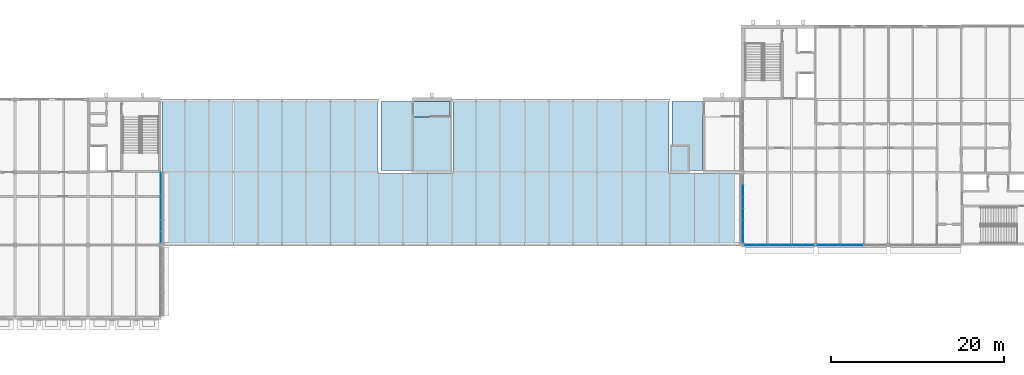
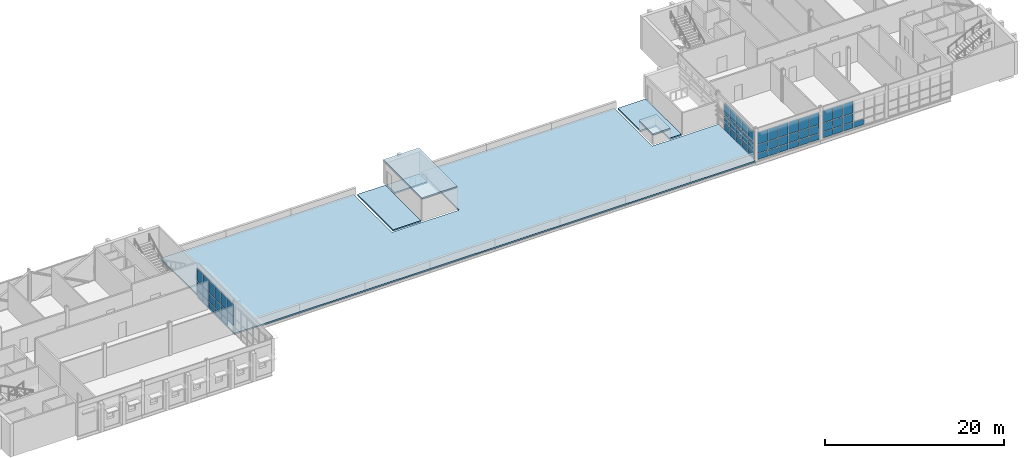
# One storey, part 17 of 29: 60 plates, 6 slabs, 4 elements without a shape of their own.
"""IFC4 building model written with IfcOpenShell, lengths in metres."""

from ifc_helpers import new_model, si_unit, direction, frame, origin, origin_2d, place, context, subcontext, project, spatial, polyline, rectangle, outline, extrude, material, layer, layer_set, type_object, element, aggregate, save


model = new_model("IFC4")

# Units and contexts
model_context = context("Model", 3, precision=1e-05, world=origin(), true_north=direction((0.0, 1.0)))
body_context = subcontext(model_context, "Body", "Model", "MODEL_VIEW")
ifc_project = project(units=[si_unit("LENGTHUNIT", "METRE"), si_unit("AREAUNIT", "SQUARE_METRE"), si_unit("VOLUMEUNIT", "CUBIC_METRE"), si_unit("PLANEANGLEUNIT", "RADIAN"), si_unit("MASSUNIT", "GRAM", prefix="KILO")], contexts=[model_context])

# Site, building, storey
site_placement = place(None, origin())
site = spatial("IfcSite", under=ifc_project, at=site_placement, CompositionType="ELEMENT")
building_placement = place(site_placement, origin())
building = spatial("IfcBuilding", under=site, at=building_placement, Name="Ardhachandra Cancer Care Centre", CompositionType="ELEMENT")
storey_placement = place(building_placement, frame((0.0, 0.0, 13.5)))
storey = spatial("IfcBuildingStorey", under=building, at=storey_placement, Name="L03", CompositionType="ELEMENT", Elevation=13.5)

# Slabs
ifc_material_1 = material(Name="Composite slab Concrete M30 on steel deck", Category="concrete")
ifc_layer_1 = layer(ifc_material_1, 0.199951171875)
ifc_layer_set_1 = layer_set([ifc_layer_1], Name="Composite slab Concrete M30 on steel deck")
slab_type_1 = type_object("IfcSlabType", Name="Composite roof slab 200", PredefinedType="ROOF", material=ifc_layer_set_1)
slab_1_placement = place(storey_placement, frame((0.0, 0.0, -0.199951171875)))
element("IfcSlab", 1, at=slab_1_placement, inside=storey, type_object=slab_type_1, Name="Roof slab V1-strip", PredefinedType="ROOF", context=body_context, shape_type="SweptSolid", body=[
    extrude(outline(polyline([(111.60009765625, 88.050048828125), (103.050048828125, 88.050048828125), (103.050048828125, 96.60009765625), (78.14990234375, 96.60009765625), (78.14990234375, 88.050048828125), (69.449951171875, 88.050048828125), (69.449951171875, 96.60009765625), (44.550048828125, 96.60009765625), (44.550048828125, 88.050048828125), (44.39990234375, 88.050048828125), (44.39990234375, 79.800048828125), (111.60009765625, 79.800048828125), (111.60009765625, 88.050048828125)])), origin(), (0.0, 0.0, 1.0), 0.199951171875),
])
ifc_material_2 = material(Name="Concrete M40", Category="concrete")
ifc_layer_2 = layer(ifc_material_2, 0.199951171875)
ifc_layer_set_2 = layer_set([ifc_layer_2], Name="Concrete M40")
slab_type_2 = type_object("IfcSlabType", Name="Core head-house floor slab 200", PredefinedType="FLOOR", material=ifc_layer_set_2)
slab_2_placement = place(storey_placement, frame((0.0, 0.0, -0.199951171875)))
element("IfcSlab", 2, at=slab_2_placement, inside=storey, type_object=slab_type_2, Name="Stair head-house floor slab K8 1", PredefinedType="FLOOR", context=body_context, shape_type="SweptSolid", body=[
    extrude(outline(polyline([(73.60009765625, 96.375), (73.60009765625, 94.60009765625), (77.800048828125, 94.60009765625), (77.800048828125, 96.375), (73.60009765625, 96.375)])), origin(), (0.0, 0.0, 1.0), 0.199951171875),
])
ifc_material_3 = material(Name="Concrete M40", Category="concrete")
ifc_layer_3 = layer(ifc_material_3, 0.199951171875)
ifc_layer_set_3 = layer_set([ifc_layer_3], Name="Concrete M40")
slab_type_3 = type_object("IfcSlabType", Name="Core roof slab 200", PredefinedType="ROOF", material=ifc_layer_set_3)
slab_3_placement = place(storey_placement, frame((0.0, 0.0, -0.199951171875)))
element("IfcSlab", 3, at=slab_3_placement, inside=storey, type_object=slab_type_3, Name="Core roof slab K7 2", PredefinedType="ROOF", context=body_context, shape_type="SweptSolid", body=[
    extrude(outline(polyline([(103.39990234375, 91.35009765625), (105.25, 91.35009765625), (105.449951171875, 91.35009765625), (105.449951171875, 88.39990234375), (107.0, 88.39990234375), (107.0, 96.375), (103.39990234375, 96.375), (103.39990234375, 91.35009765625)])), origin(), (0.0, 0.0, 1.0), 0.199951171875),
])
slab_4_placement = place(storey_placement, frame((0.0, 0.0, -0.199951171875)))
element("IfcSlab", 4, at=slab_4_placement, inside=storey, type_object=slab_type_3, Name="Core roof slab K8 2", PredefinedType="ROOF", context=body_context, shape_type="SweptSolid", body=[
    extrude(outline(polyline([(69.800048828125, 88.39990234375), (73.39990234375, 88.39990234375), (73.39990234375, 96.375), (69.800048828125, 96.375), (69.800048828125, 88.39990234375)])), origin(), (0.0, 0.0, 1.0), 0.199951171875),
])

# Curtain wall, plates
ifc_material_4 = material(Name="Aluminium extrusion", Category="aluminium")
ifc_layer_4 = layer(ifc_material_4, 0.14990234375)
ifc_layer_set_4 = layer_set([ifc_layer_4], Name="Aluminium extrusion")
curtain_wall_type = type_object("IfcCurtainWallType", Name="Curtain wall run", PredefinedType="NOTDEFINED", material=ifc_layer_set_4)
curtain_wall_1_placement = place(storey_placement, origin())
curtain_wall_1 = element("IfcCurtainWall", 5, at=curtain_wall_1_placement, inside=storey, type_object=curtain_wall_type, Name="Curtain wall L03 e/0044400_0079800", PredefinedType="NOTDEFINED")
ifc_material_5 = material(Name="Low-iron double-glazed unit")
ifc_layer_5 = layer(ifc_material_5, 0.028076171875)
ifc_layer_set_5 = layer_set([ifc_layer_5], Name="Low-iron double-glazed unit")
plate_type_1 = type_object("IfcPlateType", Name="Curtain wall glazing 28", PredefinedType="CURTAIN_PANEL", material=ifc_layer_set_5)
plate_1_placement = place(storey_placement, frame((44.39990234375, 80.68359375, 0.93017578125), z_axis=(0.0, 0.0, 1.0), x_axis=(0.0, 1.0, 0.0)))
plate_1 = element("IfcPlate", 6, at=plate_1_placement, type_object=plate_type_1, Name="CW panel 1.2", PredefinedType="CURTAIN_PANEL", context=body_context, shape_type="SweptSolid", body=[
    extrude(rectangle(XDim=1.279296875, YDim=0.028076171875, at=origin_2d()), origin(), (0.0, 0.0, 1.0), 1.139892578125),
])
plate_2_placement = place(storey_placement, frame((44.39990234375, 80.68359375, 2.1298828125), z_axis=(0.0, 0.0, 1.0), x_axis=(0.0, 1.0, 0.0)))
plate_2 = element("IfcPlate", 7, at=plate_2_placement, type_object=plate_type_1, Name="CW panel 1.3", PredefinedType="CURTAIN_PANEL", context=body_context, shape_type="SweptSolid", body=[
    extrude(rectangle(XDim=1.279296875, YDim=0.028076171875, at=origin_2d()), origin(), (0.0, 0.0, 1.0), 1.659912109375),
])
plate_3_placement = place(storey_placement, frame((44.39990234375, 82.0380859375, 0.93017578125), z_axis=(0.0, 0.0, 1.0), x_axis=(0.0, 1.0, 0.0)))
plate_3 = element("IfcPlate", 8, at=plate_3_placement, type_object=plate_type_1, Name="CW panel 2.2", PredefinedType="CURTAIN_PANEL", context=body_context, shape_type="SweptSolid", body=[
    extrude(rectangle(XDim=1.309326171875, YDim=0.028076171875, at=origin_2d()), origin(), (0.0, 0.0, 1.0), 1.139892578125),
])
plate_4_placement = place(storey_placement, frame((44.39990234375, 82.0380859375, 2.1298828125), z_axis=(0.0, 0.0, 1.0), x_axis=(0.0, 1.0, 0.0)))
plate_4 = element("IfcPlate", 9, at=plate_4_placement, type_object=plate_type_1, Name="CW panel 2.3", PredefinedType="CURTAIN_PANEL", context=body_context, shape_type="SweptSolid", body=[
    extrude(rectangle(XDim=1.309326171875, YDim=0.028076171875, at=origin_2d()), origin(), (0.0, 0.0, 1.0), 1.659912109375),
])
plate_5_placement = place(storey_placement, frame((44.39990234375, 83.4072265625, 0.93017578125), z_axis=(0.0, 0.0, 1.0), x_axis=(0.0, 1.0, 0.0)))
plate_5 = element("IfcPlate", 10, at=plate_5_placement, type_object=plate_type_1, Name="CW panel 3.2", PredefinedType="CURTAIN_PANEL", context=body_context, shape_type="SweptSolid", body=[
    extrude(rectangle(XDim=1.309326171875, YDim=0.028076171875, at=origin_2d()), origin(), (0.0, 0.0, 1.0), 1.139892578125),
])
plate_6_placement = place(storey_placement, frame((44.39990234375, 83.4072265625, 2.1298828125), z_axis=(0.0, 0.0, 1.0), x_axis=(0.0, 1.0, 0.0)))
plate_6 = element("IfcPlate", 11, at=plate_6_placement, type_object=plate_type_1, Name="CW panel 3.3", PredefinedType="CURTAIN_PANEL", context=body_context, shape_type="SweptSolid", body=[
    extrude(rectangle(XDim=1.309326171875, YDim=0.028076171875, at=origin_2d()), origin(), (0.0, 0.0, 1.0), 1.659912109375),
])
plate_7_placement = place(storey_placement, frame((44.39990234375, 84.776611328125, 0.93017578125), z_axis=(0.0, 0.0, 1.0), x_axis=(0.0, 1.0, 0.0)))
plate_7 = element("IfcPlate", 12, at=plate_7_placement, type_object=plate_type_1, Name="CW panel 4.2", PredefinedType="CURTAIN_PANEL", context=body_context, shape_type="SweptSolid", body=[
    extrude(rectangle(XDim=1.309326171875, YDim=0.028076171875, at=origin_2d()), origin(), (0.0, 0.0, 1.0), 1.139892578125),
])
plate_8_placement = place(storey_placement, frame((44.39990234375, 84.776611328125, 2.1298828125), z_axis=(0.0, 0.0, 1.0), x_axis=(0.0, 1.0, 0.0)))
plate_8 = element("IfcPlate", 13, at=plate_8_placement, type_object=plate_type_1, Name="CW panel 4.3", PredefinedType="CURTAIN_PANEL", context=body_context, shape_type="SweptSolid", body=[
    extrude(rectangle(XDim=1.309326171875, YDim=0.028076171875, at=origin_2d()), origin(), (0.0, 0.0, 1.0), 1.659912109375),
])
plate_9_placement = place(storey_placement, frame((44.39990234375, 86.14599609375, 0.93017578125), z_axis=(0.0, 0.0, 1.0), x_axis=(0.0, 1.0, 0.0)))
plate_9 = element("IfcPlate", 14, at=plate_9_placement, type_object=plate_type_1, Name="CW panel 5.2", PredefinedType="CURTAIN_PANEL", context=body_context, shape_type="SweptSolid", body=[
    extrude(rectangle(XDim=1.309326171875, YDim=0.028076171875, at=origin_2d()), origin(), (0.0, 0.0, 1.0), 1.139892578125),
])
plate_10_placement = place(storey_placement, frame((44.39990234375, 86.14599609375, 2.1298828125), z_axis=(0.0, 0.0, 1.0), x_axis=(0.0, 1.0, 0.0)))
plate_10 = element("IfcPlate", 15, at=plate_10_placement, type_object=plate_type_1, Name="CW panel 5.3", PredefinedType="CURTAIN_PANEL", context=body_context, shape_type="SweptSolid", body=[
    extrude(rectangle(XDim=1.309326171875, YDim=0.028076171875, at=origin_2d()), origin(), (0.0, 0.0, 1.0), 1.659912109375),
])
plate_11_placement = place(storey_placement, frame((44.39990234375, 87.500244140625, 0.93017578125), z_axis=(0.0, 0.0, 1.0), x_axis=(0.0, 1.0, 0.0)))
plate_11 = element("IfcPlate", 16, at=plate_11_placement, type_object=plate_type_1, Name="CW panel 6.2", PredefinedType="CURTAIN_PANEL", context=body_context, shape_type="SweptSolid", body=[
    extrude(rectangle(XDim=1.279296875, YDim=0.028076171875, at=origin_2d()), origin(), (0.0, 0.0, 1.0), 1.139892578125),
])
plate_12_placement = place(storey_placement, frame((44.39990234375, 87.500244140625, 2.1298828125), z_axis=(0.0, 0.0, 1.0), x_axis=(0.0, 1.0, 0.0)))
plate_12 = element("IfcPlate", 17, at=plate_12_placement, type_object=plate_type_1, Name="CW panel 6.3", PredefinedType="CURTAIN_PANEL", context=body_context, shape_type="SweptSolid", body=[
    extrude(rectangle(XDim=1.279296875, YDim=0.028076171875, at=origin_2d()), origin(), (0.0, 0.0, 1.0), 1.659912109375),
])

curtain_wall_2_placement = place(storey_placement, origin())
curtain_wall_2 = element("IfcCurtainWall", 18, at=curtain_wall_2_placement, inside=storey, type_object=curtain_wall_type, Name="Curtain wall L03 s/0111600_0079800", PredefinedType="NOTDEFINED")
plate_13_placement = place(storey_placement, frame((112.4794921875, 79.800048828125, 0.93017578125), z_axis=(0.0, 0.0, 1.0), x_axis=(1.0, 0.0, 0.0)))
plate_13 = element("IfcPlate", 19, at=plate_13_placement, type_object=plate_type_1, Name="CW panel 1.2", PredefinedType="CURTAIN_PANEL", context=body_context, shape_type="SweptSolid", body=[
    extrude(rectangle(XDim=1.244140625, YDim=0.028076171875, at=origin_2d()), origin(), (0.0, 0.0, 1.0), 1.139892578125),
])
plate_14_placement = place(storey_placement, frame((112.4794921875, 79.800048828125, 2.1298828125), z_axis=(0.0, 0.0, 1.0), x_axis=(1.0, 0.0, 0.0)))
plate_14 = element("IfcPlate", 20, at=plate_14_placement, type_object=plate_type_1, Name="CW panel 1.3", PredefinedType="CURTAIN_PANEL", context=body_context, shape_type="SweptSolid", body=[
    extrude(rectangle(XDim=1.244140625, YDim=0.028076171875, at=origin_2d()), origin(), (0.0, 0.0, 1.0), 1.659912109375),
])
plate_15_placement = place(storey_placement, frame((113.798828125, 79.800048828125, 0.93017578125), z_axis=(0.0, 0.0, 1.0), x_axis=(1.0, 0.0, 0.0)))
plate_15 = element("IfcPlate", 21, at=plate_15_placement, type_object=plate_type_1, Name="CW panel 2.2", PredefinedType="CURTAIN_PANEL", context=body_context, shape_type="SweptSolid", body=[
    extrude(rectangle(XDim=1.274169921875, YDim=0.028076171875, at=origin_2d()), origin(), (0.0, 0.0, 1.0), 1.139892578125),
])
plate_16_placement = place(storey_placement, frame((113.798828125, 79.800048828125, 2.1298828125), z_axis=(0.0, 0.0, 1.0), x_axis=(1.0, 0.0, 0.0)))
plate_16 = element("IfcPlate", 22, at=plate_16_placement, type_object=plate_type_1, Name="CW panel 2.3", PredefinedType="CURTAIN_PANEL", context=body_context, shape_type="SweptSolid", body=[
    extrude(rectangle(XDim=1.274169921875, YDim=0.028076171875, at=origin_2d()), origin(), (0.0, 0.0, 1.0), 1.659912109375),
])
plate_17_placement = place(storey_placement, frame((115.1328125, 79.800048828125, 0.93017578125), z_axis=(0.0, 0.0, 1.0), x_axis=(1.0, 0.0, 0.0)))
plate_17 = element("IfcPlate", 23, at=plate_17_placement, type_object=plate_type_1, Name="CW panel 3.2", PredefinedType="CURTAIN_PANEL", context=body_context, shape_type="SweptSolid", body=[
    extrude(rectangle(XDim=1.274169921875, YDim=0.028076171875, at=origin_2d()), origin(), (0.0, 0.0, 1.0), 1.139892578125),
])
plate_18_placement = place(storey_placement, frame((115.1328125, 79.800048828125, 2.1298828125), z_axis=(0.0, 0.0, 1.0), x_axis=(1.0, 0.0, 0.0)))
plate_18 = element("IfcPlate", 24, at=plate_18_placement, type_object=plate_type_1, Name="CW panel 3.3", PredefinedType="CURTAIN_PANEL", context=body_context, shape_type="SweptSolid", body=[
    extrude(rectangle(XDim=1.274169921875, YDim=0.028076171875, at=origin_2d()), origin(), (0.0, 0.0, 1.0), 1.659912109375),
])
plate_19_placement = place(storey_placement, frame((116.467041015625, 79.800048828125, 0.93017578125), z_axis=(0.0, 0.0, 1.0), x_axis=(1.0, 0.0, 0.0)))
plate_19 = element("IfcPlate", 25, at=plate_19_placement, type_object=plate_type_1, Name="CW panel 4.2", PredefinedType="CURTAIN_PANEL", context=body_context, shape_type="SweptSolid", body=[
    extrude(rectangle(XDim=1.274169921875, YDim=0.028076171875, at=origin_2d()), origin(), (0.0, 0.0, 1.0), 1.139892578125),
])
plate_20_placement = place(storey_placement, frame((116.467041015625, 79.800048828125, 2.1298828125), z_axis=(0.0, 0.0, 1.0), x_axis=(1.0, 0.0, 0.0)))
plate_20 = element("IfcPlate", 26, at=plate_20_placement, type_object=plate_type_1, Name="CW panel 4.3", PredefinedType="CURTAIN_PANEL", context=body_context, shape_type="SweptSolid", body=[
    extrude(rectangle(XDim=1.274169921875, YDim=0.028076171875, at=origin_2d()), origin(), (0.0, 0.0, 1.0), 1.659912109375),
])
plate_21_placement = place(storey_placement, frame((117.80126953125, 79.800048828125, 0.93017578125), z_axis=(0.0, 0.0, 1.0), x_axis=(1.0, 0.0, 0.0)))
plate_21 = element("IfcPlate", 27, at=plate_21_placement, type_object=plate_type_1, Name="CW panel 5.2", PredefinedType="CURTAIN_PANEL", context=body_context, shape_type="SweptSolid", body=[
    extrude(rectangle(XDim=1.274169921875, YDim=0.028076171875, at=origin_2d()), origin(), (0.0, 0.0, 1.0), 1.139892578125),
])
plate_22_placement = place(storey_placement, frame((117.80126953125, 79.800048828125, 2.1298828125), z_axis=(0.0, 0.0, 1.0), x_axis=(1.0, 0.0, 0.0)))
plate_22 = element("IfcPlate", 28, at=plate_22_placement, type_object=plate_type_1, Name="CW panel 5.3", PredefinedType="CURTAIN_PANEL", context=body_context, shape_type="SweptSolid", body=[
    extrude(rectangle(XDim=1.274169921875, YDim=0.028076171875, at=origin_2d()), origin(), (0.0, 0.0, 1.0), 1.659912109375),
])
plate_23_placement = place(storey_placement, frame((119.120361328125, 79.800048828125, 0.93017578125), z_axis=(0.0, 0.0, 1.0), x_axis=(1.0, 0.0, 0.0)))
plate_23 = element("IfcPlate", 29, at=plate_23_placement, type_object=plate_type_1, Name="CW panel 6.2", PredefinedType="CURTAIN_PANEL", context=body_context, shape_type="SweptSolid", body=[
    extrude(rectangle(XDim=1.244140625, YDim=0.028076171875, at=origin_2d()), origin(), (0.0, 0.0, 1.0), 1.139892578125),
])
plate_24_placement = place(storey_placement, frame((119.120361328125, 79.800048828125, 2.1298828125), z_axis=(0.0, 0.0, 1.0), x_axis=(1.0, 0.0, 0.0)))
plate_24 = element("IfcPlate", 30, at=plate_24_placement, type_object=plate_type_1, Name="CW panel 6.3", PredefinedType="CURTAIN_PANEL", context=body_context, shape_type="SweptSolid", body=[
    extrude(rectangle(XDim=1.244140625, YDim=0.028076171875, at=origin_2d()), origin(), (0.0, 0.0, 1.0), 1.659912109375),
])

curtain_wall_3_placement = place(storey_placement, origin())
curtain_wall_3 = element("IfcCurtainWall", 31, at=curtain_wall_3_placement, inside=storey, type_object=curtain_wall_type, Name="Curtain wall L03 s/0120000_0079800", PredefinedType="NOTDEFINED")
plate_25_placement = place(storey_placement, frame((120.879638671875, 79.800048828125, 0.93017578125), z_axis=(0.0, 0.0, 1.0), x_axis=(1.0, 0.0, 0.0)))
plate_25 = element("IfcPlate", 32, at=plate_25_placement, type_object=plate_type_1, Name="CW panel 1.2", PredefinedType="CURTAIN_PANEL", context=body_context, shape_type="SweptSolid", body=[
    extrude(rectangle(XDim=1.244140625, YDim=0.028076171875, at=origin_2d()), origin(), (0.0, 0.0, 1.0), 1.139892578125),
])
plate_26_placement = place(storey_placement, frame((120.879638671875, 79.800048828125, 2.1298828125), z_axis=(0.0, 0.0, 1.0), x_axis=(1.0, 0.0, 0.0)))
plate_26 = element("IfcPlate", 33, at=plate_26_placement, type_object=plate_type_1, Name="CW panel 1.3", PredefinedType="CURTAIN_PANEL", context=body_context, shape_type="SweptSolid", body=[
    extrude(rectangle(XDim=1.244140625, YDim=0.028076171875, at=origin_2d()), origin(), (0.0, 0.0, 1.0), 1.659912109375),
])
plate_27_placement = place(storey_placement, frame((122.19873046875, 79.800048828125, 0.93017578125), z_axis=(0.0, 0.0, 1.0), x_axis=(1.0, 0.0, 0.0)))
plate_27 = element("IfcPlate", 34, at=plate_27_placement, type_object=plate_type_1, Name="CW panel 2.2", PredefinedType="CURTAIN_PANEL", context=body_context, shape_type="SweptSolid", body=[
    extrude(rectangle(XDim=1.274169921875, YDim=0.028076171875, at=origin_2d()), origin(), (0.0, 0.0, 1.0), 1.139892578125),
])
plate_28_placement = place(storey_placement, frame((122.19873046875, 79.800048828125, 2.1298828125), z_axis=(0.0, 0.0, 1.0), x_axis=(1.0, 0.0, 0.0)))
plate_28 = element("IfcPlate", 35, at=plate_28_placement, type_object=plate_type_1, Name="CW panel 2.3", PredefinedType="CURTAIN_PANEL", context=body_context, shape_type="SweptSolid", body=[
    extrude(rectangle(XDim=1.274169921875, YDim=0.028076171875, at=origin_2d()), origin(), (0.0, 0.0, 1.0), 1.659912109375),
])
plate_29_placement = place(storey_placement, frame((123.532958984375, 79.800048828125, 0.93017578125), z_axis=(0.0, 0.0, 1.0), x_axis=(1.0, 0.0, 0.0)))
plate_29 = element("IfcPlate", 36, at=plate_29_placement, type_object=plate_type_1, Name="CW panel 3.2", PredefinedType="CURTAIN_PANEL", context=body_context, shape_type="SweptSolid", body=[
    extrude(rectangle(XDim=1.274169921875, YDim=0.028076171875, at=origin_2d()), origin(), (0.0, 0.0, 1.0), 1.139892578125),
])
plate_30_placement = place(storey_placement, frame((123.532958984375, 79.800048828125, 2.1298828125), z_axis=(0.0, 0.0, 1.0), x_axis=(1.0, 0.0, 0.0)))
plate_30 = element("IfcPlate", 37, at=plate_30_placement, type_object=plate_type_1, Name="CW panel 3.3", PredefinedType="CURTAIN_PANEL", context=body_context, shape_type="SweptSolid", body=[
    extrude(rectangle(XDim=1.274169921875, YDim=0.028076171875, at=origin_2d()), origin(), (0.0, 0.0, 1.0), 1.659912109375),
])

curtain_wall_4_placement = place(storey_placement, origin())
curtain_wall_4 = element("IfcCurtainWall", 38, at=curtain_wall_4_placement, inside=storey, type_object=curtain_wall_type, Name="Curtain wall L03 w/0111600_0079800", PredefinedType="NOTDEFINED")
plate_31_placement = place(storey_placement, frame((111.60009765625, 80.6767578125, 0.93017578125), z_axis=(0.0, 0.0, 1.0), x_axis=(0.0, 1.0, 0.0)))
plate_31 = element("IfcPlate", 39, at=plate_31_placement, type_object=plate_type_1, Name="CW panel 1.2", PredefinedType="CURTAIN_PANEL", context=body_context, shape_type="SweptSolid", body=[
    extrude(rectangle(XDim=1.25341796875, YDim=0.028076171875, at=origin_2d()), origin(), (0.0, 0.0, 1.0), 1.139892578125),
])
plate_32_placement = place(storey_placement, frame((111.60009765625, 80.6767578125, 2.1298828125), z_axis=(0.0, 0.0, 1.0), x_axis=(0.0, 1.0, 0.0)))
plate_32 = element("IfcPlate", 40, at=plate_32_placement, type_object=plate_type_1, Name="CW panel 1.3", PredefinedType="CURTAIN_PANEL", context=body_context, shape_type="SweptSolid", body=[
    extrude(rectangle(XDim=1.25341796875, YDim=0.028076171875, at=origin_2d()), origin(), (0.0, 0.0, 1.0), 1.659912109375),
])
plate_33_placement = place(storey_placement, frame((111.60009765625, 82.0048828125, 0.93017578125), z_axis=(0.0, 0.0, 1.0), x_axis=(0.0, 1.0, 0.0)))
plate_33 = element("IfcPlate", 41, at=plate_33_placement, type_object=plate_type_1, Name="CW panel 2.2", PredefinedType="CURTAIN_PANEL", context=body_context, shape_type="SweptSolid", body=[
    extrude(rectangle(XDim=1.283447265625, YDim=0.028076171875, at=origin_2d()), origin(), (0.0, 0.0, 1.0), 1.139892578125),
])
plate_34_placement = place(storey_placement, frame((111.60009765625, 82.0048828125, 2.1298828125), z_axis=(0.0, 0.0, 1.0), x_axis=(0.0, 1.0, 0.0)))
plate_34 = element("IfcPlate", 42, at=plate_34_placement, type_object=plate_type_1, Name="CW panel 2.3", PredefinedType="CURTAIN_PANEL", context=body_context, shape_type="SweptSolid", body=[
    extrude(rectangle(XDim=1.283447265625, YDim=0.028076171875, at=origin_2d()), origin(), (0.0, 0.0, 1.0), 1.659912109375),
])
plate_35_placement = place(storey_placement, frame((111.60009765625, 83.348388671875, 0.93017578125), z_axis=(0.0, 0.0, 1.0), x_axis=(0.0, 1.0, 0.0)))
plate_35 = element("IfcPlate", 43, at=plate_35_placement, type_object=plate_type_1, Name="CW panel 3.2", PredefinedType="CURTAIN_PANEL", context=body_context, shape_type="SweptSolid", body=[
    extrude(rectangle(XDim=1.283447265625, YDim=0.028076171875, at=origin_2d()), origin(), (0.0, 0.0, 1.0), 1.139892578125),
])
plate_36_placement = place(storey_placement, frame((111.60009765625, 83.348388671875, 2.1298828125), z_axis=(0.0, 0.0, 1.0), x_axis=(0.0, 1.0, 0.0)))
plate_36 = element("IfcPlate", 44, at=plate_36_placement, type_object=plate_type_1, Name="CW panel 3.3", PredefinedType="CURTAIN_PANEL", context=body_context, shape_type="SweptSolid", body=[
    extrude(rectangle(XDim=1.283447265625, YDim=0.028076171875, at=origin_2d()), origin(), (0.0, 0.0, 1.0), 1.659912109375),
])
plate_37_placement = place(storey_placement, frame((111.60009765625, 84.691650390625, 0.93017578125), z_axis=(0.0, 0.0, 1.0), x_axis=(0.0, 1.0, 0.0)))
plate_37 = element("IfcPlate", 45, at=plate_37_placement, type_object=plate_type_1, Name="CW panel 4.2", PredefinedType="CURTAIN_PANEL", context=body_context, shape_type="SweptSolid", body=[
    extrude(rectangle(XDim=1.283447265625, YDim=0.028076171875, at=origin_2d()), origin(), (0.0, 0.0, 1.0), 1.139892578125),
])
plate_38_placement = place(storey_placement, frame((111.60009765625, 84.691650390625, 2.1298828125), z_axis=(0.0, 0.0, 1.0), x_axis=(0.0, 1.0, 0.0)))
plate_38 = element("IfcPlate", 46, at=plate_38_placement, type_object=plate_type_1, Name="CW panel 4.3", PredefinedType="CURTAIN_PANEL", context=body_context, shape_type="SweptSolid", body=[
    extrude(rectangle(XDim=1.283447265625, YDim=0.028076171875, at=origin_2d()), origin(), (0.0, 0.0, 1.0), 1.659912109375),
])
plate_39_placement = place(storey_placement, frame((111.60009765625, 86.034912109375, 0.93017578125), z_axis=(0.0, 0.0, 1.0), x_axis=(0.0, 1.0, 0.0)))
plate_39 = element("IfcPlate", 47, at=plate_39_placement, type_object=plate_type_1, Name="CW panel 5.2", PredefinedType="CURTAIN_PANEL", context=body_context, shape_type="SweptSolid", body=[
    extrude(rectangle(XDim=1.283447265625, YDim=0.028076171875, at=origin_2d()), origin(), (0.0, 0.0, 1.0), 1.139892578125),
])
plate_40_placement = place(storey_placement, frame((111.60009765625, 86.034912109375, 2.1298828125), z_axis=(0.0, 0.0, 1.0), x_axis=(0.0, 1.0, 0.0)))
plate_40 = element("IfcPlate", 48, at=plate_40_placement, type_object=plate_type_1, Name="CW panel 5.3", PredefinedType="CURTAIN_PANEL", context=body_context, shape_type="SweptSolid", body=[
    extrude(rectangle(XDim=1.283447265625, YDim=0.028076171875, at=origin_2d()), origin(), (0.0, 0.0, 1.0), 1.659912109375),
])

# Plate
ifc_material_6 = material(Name="Aluminium composite spandrel panel", Category="aluminium")
ifc_layer_6 = layer(ifc_material_6, 0.028076171875)
ifc_layer_set_6 = layer_set([ifc_layer_6], Name="Aluminium composite spandrel panel")
plate_type_2 = type_object("IfcPlateType", Name="Curtain wall spandrel panel 28", PredefinedType="CURTAIN_PANEL", material=ifc_layer_set_6)
plate_41_placement = place(storey_placement, frame((44.39990234375, 82.0380859375, 0.06005859375), z_axis=(0.0, 0.0, 1.0), x_axis=(0.0, 1.0, 0.0)))
plate_41 = element("IfcPlate", 49, at=plate_41_placement, type_object=plate_type_2, Name="CW panel 2.1", PredefinedType="CURTAIN_PANEL", context=body_context, shape_type="SweptSolid", body=[
    extrude(rectangle(XDim=1.309326171875, YDim=0.028076171875, at=origin_2d()), origin(), (0.0, 0.0, 1.0), 0.81005859375),
])

plate_42_placement = place(storey_placement, frame((44.39990234375, 83.4072265625, 0.06005859375), z_axis=(0.0, 0.0, 1.0), x_axis=(0.0, 1.0, 0.0)))
plate_42 = element("IfcPlate", 50, at=plate_42_placement, type_object=plate_type_2, Name="CW panel 3.1", PredefinedType="CURTAIN_PANEL", context=body_context, shape_type="SweptSolid", body=[
    extrude(rectangle(XDim=1.309326171875, YDim=0.028076171875, at=origin_2d()), origin(), (0.0, 0.0, 1.0), 0.81005859375),
])

plate_43_placement = place(storey_placement, frame((44.39990234375, 84.776611328125, 0.06005859375), z_axis=(0.0, 0.0, 1.0), x_axis=(0.0, 1.0, 0.0)))
plate_43 = element("IfcPlate", 51, at=plate_43_placement, type_object=plate_type_2, Name="CW panel 4.1", PredefinedType="CURTAIN_PANEL", context=body_context, shape_type="SweptSolid", body=[
    extrude(rectangle(XDim=1.309326171875, YDim=0.028076171875, at=origin_2d()), origin(), (0.0, 0.0, 1.0), 0.81005859375),
])

plate_44_placement = place(storey_placement, frame((44.39990234375, 86.14599609375, 0.06005859375), z_axis=(0.0, 0.0, 1.0), x_axis=(0.0, 1.0, 0.0)))
plate_44 = element("IfcPlate", 52, at=plate_44_placement, type_object=plate_type_2, Name="CW panel 5.1", PredefinedType="CURTAIN_PANEL", context=body_context, shape_type="SweptSolid", body=[
    extrude(rectangle(XDim=1.309326171875, YDim=0.028076171875, at=origin_2d()), origin(), (0.0, 0.0, 1.0), 0.81005859375),
])

plate_45_placement = place(storey_placement, frame((44.39990234375, 87.500244140625, 0.06005859375), z_axis=(0.0, 0.0, 1.0), x_axis=(0.0, 1.0, 0.0)))
plate_45 = element("IfcPlate", 53, at=plate_45_placement, type_object=plate_type_2, Name="CW panel 6.1", PredefinedType="CURTAIN_PANEL", context=body_context, shape_type="SweptSolid", body=[
    extrude(rectangle(XDim=1.279296875, YDim=0.028076171875, at=origin_2d()), origin(), (0.0, 0.0, 1.0), 0.81005859375),
])

aggregate(curtain_wall_1, [plate_1, plate_2, plate_41, plate_3, plate_4, plate_42, plate_5, plate_6, plate_43, plate_7, plate_8, plate_44, plate_9, plate_10, plate_45, plate_11, plate_12])

plate_46_placement = place(storey_placement, frame((112.4794921875, 79.800048828125, 0.06005859375), z_axis=(0.0, 0.0, 1.0), x_axis=(1.0, 0.0, 0.0)))
plate_46 = element("IfcPlate", 54, at=plate_46_placement, type_object=plate_type_2, Name="CW panel 1.1", PredefinedType="CURTAIN_PANEL", context=body_context, shape_type="SweptSolid", body=[
    extrude(rectangle(XDim=1.244140625, YDim=0.028076171875, at=origin_2d()), origin(), (0.0, 0.0, 1.0), 0.81005859375),
])

plate_47_placement = place(storey_placement, frame((113.798828125, 79.800048828125, 0.06005859375), z_axis=(0.0, 0.0, 1.0), x_axis=(1.0, 0.0, 0.0)))
plate_47 = element("IfcPlate", 55, at=plate_47_placement, type_object=plate_type_2, Name="CW panel 2.1", PredefinedType="CURTAIN_PANEL", context=body_context, shape_type="SweptSolid", body=[
    extrude(rectangle(XDim=1.274169921875, YDim=0.028076171875, at=origin_2d()), origin(), (0.0, 0.0, 1.0), 0.81005859375),
])

plate_48_placement = place(storey_placement, frame((115.1328125, 79.800048828125, 0.06005859375), z_axis=(0.0, 0.0, 1.0), x_axis=(1.0, 0.0, 0.0)))
plate_48 = element("IfcPlate", 56, at=plate_48_placement, type_object=plate_type_2, Name="CW panel 3.1", PredefinedType="CURTAIN_PANEL", context=body_context, shape_type="SweptSolid", body=[
    extrude(rectangle(XDim=1.274169921875, YDim=0.028076171875, at=origin_2d()), origin(), (0.0, 0.0, 1.0), 0.81005859375),
])

plate_49_placement = place(storey_placement, frame((116.467041015625, 79.800048828125, 0.06005859375), z_axis=(0.0, 0.0, 1.0), x_axis=(1.0, 0.0, 0.0)))
plate_49 = element("IfcPlate", 57, at=plate_49_placement, type_object=plate_type_2, Name="CW panel 4.1", PredefinedType="CURTAIN_PANEL", context=body_context, shape_type="SweptSolid", body=[
    extrude(rectangle(XDim=1.274169921875, YDim=0.028076171875, at=origin_2d()), origin(), (0.0, 0.0, 1.0), 0.81005859375),
])

plate_50_placement = place(storey_placement, frame((117.80126953125, 79.800048828125, 0.06005859375), z_axis=(0.0, 0.0, 1.0), x_axis=(1.0, 0.0, 0.0)))
plate_50 = element("IfcPlate", 58, at=plate_50_placement, type_object=plate_type_2, Name="CW panel 5.1", PredefinedType="CURTAIN_PANEL", context=body_context, shape_type="SweptSolid", body=[
    extrude(rectangle(XDim=1.274169921875, YDim=0.028076171875, at=origin_2d()), origin(), (0.0, 0.0, 1.0), 0.81005859375),
])

plate_51_placement = place(storey_placement, frame((119.120361328125, 79.800048828125, 0.06005859375), z_axis=(0.0, 0.0, 1.0), x_axis=(1.0, 0.0, 0.0)))
plate_51 = element("IfcPlate", 59, at=plate_51_placement, type_object=plate_type_2, Name="CW panel 6.1", PredefinedType="CURTAIN_PANEL", context=body_context, shape_type="SweptSolid", body=[
    extrude(rectangle(XDim=1.244140625, YDim=0.028076171875, at=origin_2d()), origin(), (0.0, 0.0, 1.0), 0.81005859375),
])

aggregate(curtain_wall_2, [plate_46, plate_13, plate_14, plate_47, plate_15, plate_16, plate_48, plate_17, plate_18, plate_49, plate_19, plate_20, plate_50, plate_21, plate_22, plate_51, plate_23, plate_24])

plate_52_placement = place(storey_placement, frame((120.879638671875, 79.800048828125, 0.06005859375), z_axis=(0.0, 0.0, 1.0), x_axis=(1.0, 0.0, 0.0)))
plate_52 = element("IfcPlate", 60, at=plate_52_placement, type_object=plate_type_2, Name="CW panel 1.1", PredefinedType="CURTAIN_PANEL", context=body_context, shape_type="SweptSolid", body=[
    extrude(rectangle(XDim=1.244140625, YDim=0.028076171875, at=origin_2d()), origin(), (0.0, 0.0, 1.0), 0.81005859375),
])

plate_53_placement = place(storey_placement, frame((122.19873046875, 79.800048828125, 0.06005859375), z_axis=(0.0, 0.0, 1.0), x_axis=(1.0, 0.0, 0.0)))
plate_53 = element("IfcPlate", 61, at=plate_53_placement, type_object=plate_type_2, Name="CW panel 2.1", PredefinedType="CURTAIN_PANEL", context=body_context, shape_type="SweptSolid", body=[
    extrude(rectangle(XDim=1.274169921875, YDim=0.028076171875, at=origin_2d()), origin(), (0.0, 0.0, 1.0), 0.81005859375),
])

plate_54_placement = place(storey_placement, frame((123.532958984375, 79.800048828125, 0.06005859375), z_axis=(0.0, 0.0, 1.0), x_axis=(1.0, 0.0, 0.0)))
plate_54 = element("IfcPlate", 62, at=plate_54_placement, type_object=plate_type_2, Name="CW panel 3.1", PredefinedType="CURTAIN_PANEL", context=body_context, shape_type="SweptSolid", body=[
    extrude(rectangle(XDim=1.274169921875, YDim=0.028076171875, at=origin_2d()), origin(), (0.0, 0.0, 1.0), 0.81005859375),
])

plate_55_placement = place(storey_placement, frame((124.8671875, 79.800048828125, 0.06005859375), z_axis=(0.0, 0.0, 1.0), x_axis=(1.0, 0.0, 0.0)))
plate_55 = element("IfcPlate", 63, at=plate_55_placement, type_object=plate_type_2, Name="CW panel 4.1", PredefinedType="CURTAIN_PANEL", context=body_context, shape_type="SweptSolid", body=[
    extrude(rectangle(XDim=1.274169921875, YDim=0.028076171875, at=origin_2d()), origin(), (0.0, 0.0, 1.0), 0.81005859375),
])

aggregate(curtain_wall_3, [plate_52, plate_25, plate_26, plate_53, plate_27, plate_28, plate_54, plate_29, plate_30, plate_55])

plate_56_placement = place(storey_placement, frame((111.60009765625, 80.6767578125, 0.06005859375), z_axis=(0.0, 0.0, 1.0), x_axis=(0.0, 1.0, 0.0)))
plate_56 = element("IfcPlate", 64, at=plate_56_placement, type_object=plate_type_2, Name="CW panel 1.1", PredefinedType="CURTAIN_PANEL", context=body_context, shape_type="SweptSolid", body=[
    extrude(rectangle(XDim=1.25341796875, YDim=0.028076171875, at=origin_2d()), origin(), (0.0, 0.0, 1.0), 0.81005859375),
])

plate_57_placement = place(storey_placement, frame((111.60009765625, 82.0048828125, 0.06005859375), z_axis=(0.0, 0.0, 1.0), x_axis=(0.0, 1.0, 0.0)))
plate_57 = element("IfcPlate", 65, at=plate_57_placement, type_object=plate_type_2, Name="CW panel 2.1", PredefinedType="CURTAIN_PANEL", context=body_context, shape_type="SweptSolid", body=[
    extrude(rectangle(XDim=1.283447265625, YDim=0.028076171875, at=origin_2d()), origin(), (0.0, 0.0, 1.0), 0.81005859375),
])

plate_58_placement = place(storey_placement, frame((111.60009765625, 83.348388671875, 0.06005859375), z_axis=(0.0, 0.0, 1.0), x_axis=(0.0, 1.0, 0.0)))
plate_58 = element("IfcPlate", 66, at=plate_58_placement, type_object=plate_type_2, Name="CW panel 3.1", PredefinedType="CURTAIN_PANEL", context=body_context, shape_type="SweptSolid", body=[
    extrude(rectangle(XDim=1.283447265625, YDim=0.028076171875, at=origin_2d()), origin(), (0.0, 0.0, 1.0), 0.81005859375),
])

plate_59_placement = place(storey_placement, frame((111.60009765625, 84.691650390625, 0.06005859375), z_axis=(0.0, 0.0, 1.0), x_axis=(0.0, 1.0, 0.0)))
plate_59 = element("IfcPlate", 67, at=plate_59_placement, type_object=plate_type_2, Name="CW panel 4.1", PredefinedType="CURTAIN_PANEL", context=body_context, shape_type="SweptSolid", body=[
    extrude(rectangle(XDim=1.283447265625, YDim=0.028076171875, at=origin_2d()), origin(), (0.0, 0.0, 1.0), 0.81005859375),
])

plate_60_placement = place(storey_placement, frame((111.60009765625, 86.034912109375, 0.06005859375), z_axis=(0.0, 0.0, 1.0), x_axis=(0.0, 1.0, 0.0)))
plate_60 = element("IfcPlate", 68, at=plate_60_placement, type_object=plate_type_2, Name="CW panel 5.1", PredefinedType="CURTAIN_PANEL", context=body_context, shape_type="SweptSolid", body=[
    extrude(rectangle(XDim=1.283447265625, YDim=0.028076171875, at=origin_2d()), origin(), (0.0, 0.0, 1.0), 0.81005859375),
])

aggregate(curtain_wall_4, [plate_56, plate_31, plate_32, plate_57, plate_33, plate_34, plate_58, plate_35, plate_36, plate_59, plate_37, plate_38, plate_60, plate_39, plate_40])

# Slabs
ifc_material_7 = material(Name="Concrete M40", Category="concrete")
ifc_layer_7 = layer(ifc_material_7, 0.199951171875)
ifc_layer_set_7 = layer_set([ifc_layer_7], Name="Concrete M40")
slab_type_4 = type_object("IfcSlabType", Name="Head-house and overrun roof slab 200", PredefinedType="ROOF", material=ifc_layer_set_7)
slab_5_placement = place(storey_placement, frame((0.0, 0.0, 1.300048828125)))
element("IfcSlab", 69, at=slab_5_placement, inside=storey, type_object=slab_type_4, Name="Lift overrun roof K7A", PredefinedType="ROOF", context=body_context, shape_type="SweptSolid", body=[
    extrude(outline(polyline([(105.449951171875, 88.199951171875), (103.199951171875, 88.199951171875), (103.199951171875, 91.35009765625), (105.449951171875, 91.35009765625), (105.449951171875, 88.199951171875)])), origin(), (0.0, 0.0, 1.0), 0.199951171875),
])
slab_6_placement = place(storey_placement, frame((0.0, 0.0, 3.0)))
element("IfcSlab", 70, at=slab_6_placement, inside=storey, type_object=slab_type_4, Name="Stair head-house roof K8", PredefinedType="ROOF", context=body_context, shape_type="SweptSolid", body=[
    extrude(outline(polyline([(73.39990234375, 88.199951171875), (73.39990234375, 96.824951171875), (78.0, 96.824951171875), (78.0, 88.199951171875), (73.39990234375, 88.199951171875)])), origin(), (0.0, 0.0, 1.0), 0.199951171875),
])

save(model, "model.ifc")
